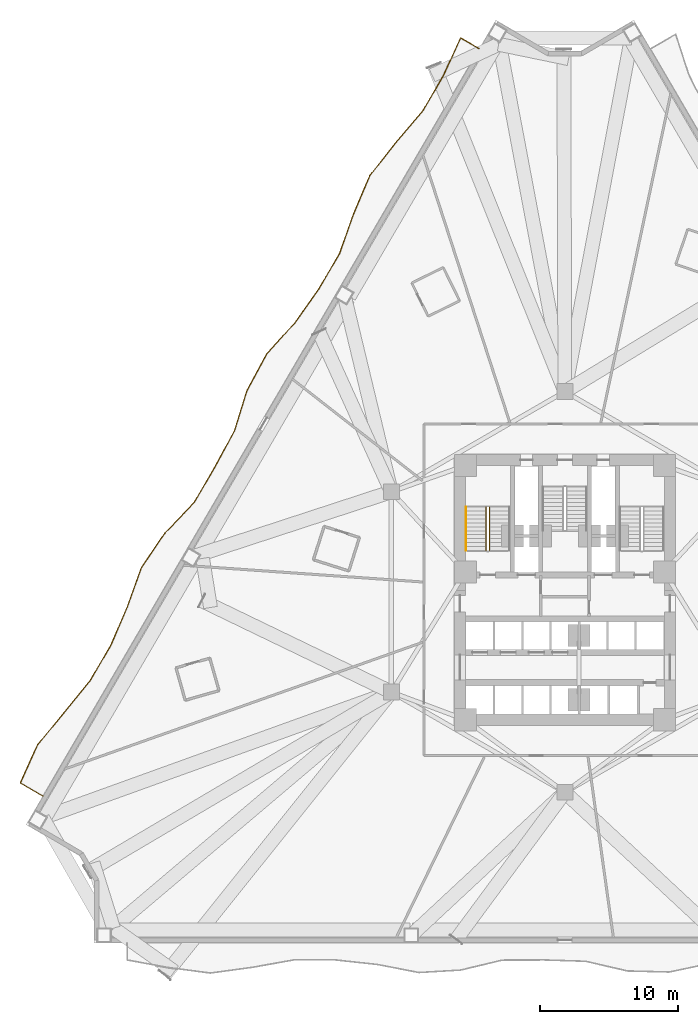
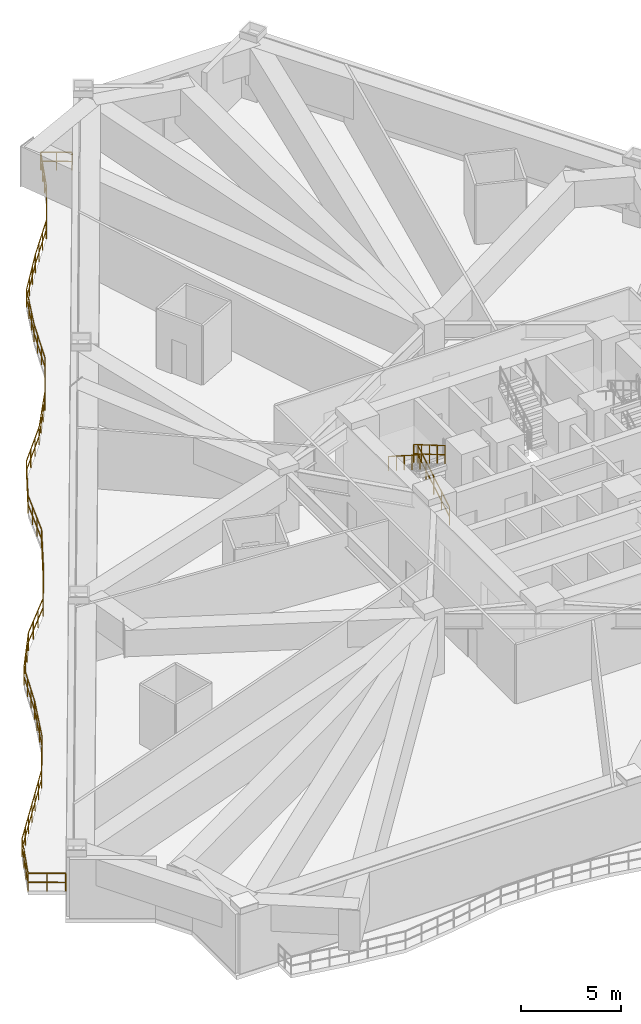
# One storey, part 14 of 16: 4 railings.
"""IFC4 building model written with IfcOpenShell, lengths in metres."""

from ifc_helpers import new_model, si_unit, direction, frame, origin, origin_2d, place, context, subcontext, project, spatial, rectangle, extrude, material, type_object, element, save


model = new_model("IFC4")

# Units and contexts
model_context = context("Model", 3, precision=1e-05, world=origin(), true_north=direction((0.0, 1.0)))
body_context = subcontext(model_context, "Body", "Model", "MODEL_VIEW")
ifc_project = project(units=[si_unit("LENGTHUNIT", "METRE"), si_unit("AREAUNIT", "SQUARE_METRE"), si_unit("VOLUMEUNIT", "CUBIC_METRE"), si_unit("PLANEANGLEUNIT", "RADIAN"), si_unit("MASSUNIT", "GRAM", prefix="KILO")], contexts=[model_context])

# Site, building, storey
site_placement = place(None, origin())
site = spatial("IfcSite", under=ifc_project, at=site_placement, CompositionType="ELEMENT")
building_placement = place(site_placement, origin())
building = spatial("IfcBuilding", under=site, at=building_placement, Name="Apsidion Concourse Tower", CompositionType="ELEMENT")
storey_placement = place(building_placement, frame((0.0, 0.0, 58.39990234375)))
storey = spatial("IfcBuildingStorey", under=building, at=storey_placement, Name="L12", CompositionType="ELEMENT", Elevation=58.39990234375)

# Railings
ifc_material = material(Name="Brushed stainless steel 316", Category="steel")
railing_type_1 = type_object("IfcRailingType", Name="RL-BAL-1120", PredefinedType="BALUSTRADE", material=ifc_material)
railing_1_placement = place(storey_placement, frame((-37.789306640625, -14.772705078125, 0.0)))
element("IfcRailing", 1, at=railing_1_placement, inside=storey, type_object=railing_type_1, Name="L12 Face 1 Rippling Balcony Balustrade", PredefinedType="BALUSTRADE", context=body_context, shape_type="SweptSolid", body=[
    extrude(rectangle(XDim=0.048095703125, YDim=0.048095703125, at=origin_2d()), frame((0.0, 0.0, 1.09619140625), z_axis=(-0.863628178922, 0.504129317311, 0.0), x_axis=(-0.504129317311, -0.863628178922, 0.0)), (0.0, 0.0, 1.0), 1.88037109375),
    extrude(rectangle(XDim=0.048095703125, YDim=0.048095703125, at=origin_2d()), frame((0.0, 0.0, 0.5361328125), z_axis=(-0.863628178922, 0.504129317311, 0.0), x_axis=(-0.504129317311, -0.863628178922, 0.0)), (0.0, 0.0, 1.0), 1.88037109375),
    extrude(rectangle(XDim=0.048095703125, YDim=0.048095703125, at=origin_2d()), frame((-1.6240234375, 0.947998046875, 1.09619140625), z_axis=(0.411139583762, 0.911572401219, 0.0), x_axis=(-0.911572401219, 0.411139583762, 0.0)), (0.0, 0.0, 1.0), 2.999267578125),
    extrude(rectangle(XDim=0.048095703125, YDim=0.048095703125, at=origin_2d()), frame((-1.6240234375, 0.947998046875, 0.5361328125), z_axis=(0.411139583762, 0.911572401219, 0.0), x_axis=(-0.911572401219, 0.411139583762, 0.0)), (0.0, 0.0, 1.0), 2.999267578125),
    extrude(rectangle(XDim=0.048095703125, YDim=0.048095703125, at=origin_2d()), frame((-0.390869140625, 3.68212890625, 1.09619140625), z_axis=(0.633457843954, 0.773777203033, 0.0), x_axis=(-0.773777203033, 0.633457843954, 0.0)), (0.0, 0.0, 1.0), 3.0205078125),
    extrude(rectangle(XDim=0.048095703125, YDim=0.048095703125, at=origin_2d()), frame((-0.390869140625, 3.68212890625, 0.5361328125), z_axis=(0.633457843954, 0.773777203033, 0.0), x_axis=(-0.773777203033, 0.633457843954, 0.0)), (0.0, 0.0, 1.0), 3.0205078125),
    extrude(rectangle(XDim=0.048095703125, YDim=0.048095703125, at=origin_2d()), frame((1.5224609375, 6.019287109375, 1.09619140625), z_axis=(0.632550737528, 0.774518924529, 0.0), x_axis=(-0.774518924529, 0.632550737528, 0.0)), (0.0, 0.0, 1.0), 3.019775390625),
    extrude(rectangle(XDim=0.048095703125, YDim=0.048095703125, at=origin_2d()), frame((1.5224609375, 6.019287109375, 0.5361328125), z_axis=(0.632550737528, 0.774518924529, 0.0), x_axis=(-0.774518924529, 0.632550737528, 0.0)), (0.0, 0.0, 1.0), 3.019775390625),
    extrude(rectangle(XDim=0.048095703125, YDim=0.048095703125, at=origin_2d()), frame((3.4326171875, 8.358154296875, 1.09619140625), z_axis=(0.504191602526, 0.863591817899, 0.0), x_axis=(-0.863591817899, 0.504191602526, 0.0)), (0.0, 0.0, 1.0), 2.98291015625),
    extrude(rectangle(XDim=0.048095703125, YDim=0.048095703125, at=origin_2d()), frame((3.4326171875, 8.358154296875, 0.5361328125), z_axis=(0.504191602526, 0.863591817899, 0.0), x_axis=(-0.863591817899, 0.504191602526, 0.0)), (0.0, 0.0, 1.0), 2.98291015625),
    extrude(rectangle(XDim=0.048095703125, YDim=0.048095703125, at=origin_2d()), frame((4.9365234375, 10.93408203125, 1.09619140625), z_axis=(0.39420358069, 0.919023142783, 0.0), x_axis=(-0.919023142783, 0.39420358069, 0.0)), (0.0, 0.0, 1.0), 3.005615234375),
    extrude(rectangle(XDim=0.048095703125, YDim=0.048095703125, at=origin_2d()), frame((4.9365234375, 10.93408203125, 0.5361328125), z_axis=(0.39420358069, 0.919023142783, 0.0), x_axis=(-0.919023142783, 0.39420358069, 0.0)), (0.0, 0.0, 1.0), 3.005615234375),
    extrude(rectangle(XDim=0.048095703125, YDim=0.048095703125, at=origin_2d()), frame((6.121337890625, 13.6962890625, 1.09619140625), z_axis=(0.338374657241, 0.941011472479, 0.0), x_axis=(-0.941011472479, 0.338374657241, 0.0)), (0.0, 0.0, 1.0), 3.033935546875),
    extrude(rectangle(XDim=0.048095703125, YDim=0.048095703125, at=origin_2d()), frame((6.121337890625, 13.6962890625, 0.5361328125), z_axis=(0.338374657241, 0.941011472479, 0.0), x_axis=(-0.941011472479, 0.338374657241, 0.0)), (0.0, 0.0, 1.0), 3.033935546875),
    extrude(rectangle(XDim=0.048095703125, YDim=0.048095703125, at=origin_2d()), frame((7.14794921875, 16.55126953125, 1.09619140625), z_axis=(0.563131591307, 0.826367237294, 0.0), x_axis=(-0.826367237294, 0.563131591307, 0.0)), (0.0, 0.0, 1.0), 2.990234375),
    extrude(rectangle(XDim=0.048095703125, YDim=0.048095703125, at=origin_2d()), frame((7.14794921875, 16.55126953125, 0.5361328125), z_axis=(0.563131591307, 0.826367237294, 0.0), x_axis=(-0.826367237294, 0.563131591307, 0.0)), (0.0, 0.0, 1.0), 2.990234375),
    extrude(rectangle(XDim=0.048095703125, YDim=0.048095703125, at=origin_2d()), frame((8.831787109375, 19.022216796875, 1.09619140625), z_axis=(0.691455742414, 0.722418823317, 0.0), x_axis=(-0.722418823317, 0.691455742414, 0.0)), (0.0, 0.0, 1.0), 3.067138671875),
    extrude(rectangle(XDim=0.048095703125, YDim=0.048095703125, at=origin_2d()), frame((8.831787109375, 19.022216796875, 0.5361328125), z_axis=(0.691455742414, 0.722418823317, 0.0), x_axis=(-0.722418823317, 0.691455742414, 0.0)), (0.0, 0.0, 1.0), 3.067138671875),
    extrude(rectangle(XDim=0.048095703125, YDim=0.048095703125, at=origin_2d()), frame((10.95263671875, 21.238037109375, 1.09619140625), z_axis=(0.504252641195, 0.863556178745, 0.0), x_axis=(-0.863556178745, 0.504252641195, 0.0)), (0.0, 0.0, 1.0), 2.98291015625),
    extrude(rectangle(XDim=0.048095703125, YDim=0.048095703125, at=origin_2d()), frame((10.95263671875, 21.238037109375, 0.5361328125), z_axis=(0.504252641195, 0.863556178745, 0.0), x_axis=(-0.863556178745, 0.504252641195, 0.0)), (0.0, 0.0, 1.0), 2.98291015625),
    extrude(rectangle(XDim=0.048095703125, YDim=0.048095703125, at=origin_2d()), frame((12.456787109375, 23.81396484375, 1.09619140625), z_axis=(0.476098667531, 0.879391868722, 0.0), x_axis=(-0.879391868722, 0.476098667531, 0.0)), (0.0, 0.0, 1.0), 2.984375),
    extrude(rectangle(XDim=0.048095703125, YDim=0.048095703125, at=origin_2d()), frame((12.456787109375, 23.81396484375, 0.5361328125), z_axis=(0.476098667531, 0.879391868722, 0.0), x_axis=(-0.879391868722, 0.476098667531, 0.0)), (0.0, 0.0, 1.0), 2.984375),
    extrude(rectangle(XDim=0.048095703125, YDim=0.048095703125, at=origin_2d()), frame((13.877685546875, 26.4384765625, 1.09619140625), z_axis=(0.295681995921, 0.955286426831, 0.0), x_axis=(-0.955286426831, 0.295681995921, 0.0)), (0.0, 0.0, 1.0), 3.0625),
    extrude(rectangle(XDim=0.048095703125, YDim=0.048095703125, at=origin_2d()), frame((13.877685546875, 26.4384765625, 0.5361328125), z_axis=(0.295681995921, 0.955286426831, 0.0), x_axis=(-0.955286426831, 0.295681995921, 0.0)), (0.0, 0.0, 1.0), 3.0625),
    extrude(rectangle(XDim=0.048095703125, YDim=0.048095703125, at=origin_2d()), frame((14.783203125, 29.364013671875, 1.09619140625), z_axis=(0.476454443832, 0.879199160004, 0.0), x_axis=(-0.879199160004, 0.476454443832, 0.0)), (0.0, 0.0, 1.0), 2.984375),
    extrude(rectangle(XDim=0.048095703125, YDim=0.048095703125, at=origin_2d()), frame((14.783203125, 29.364013671875, 0.5361328125), z_axis=(0.476454443832, 0.879199160004, 0.0), x_axis=(-0.879199160004, 0.476454443832, 0.0)), (0.0, 0.0, 1.0), 2.984375),
    extrude(rectangle(XDim=0.048095703125, YDim=0.048095703125, at=origin_2d()), frame((16.205078125, 31.98779296875, 1.09619140625), z_axis=(0.669199344917, 0.743082927244, 0.0), x_axis=(-0.743082927244, 0.669199344917, 0.0)), (0.0, 0.0, 1.0), 3.046630859375),
    extrude(rectangle(XDim=0.048095703125, YDim=0.048095703125, at=origin_2d()), frame((16.205078125, 31.98779296875, 0.5361328125), z_axis=(0.669199344917, 0.743082927244, 0.0), x_axis=(-0.743082927244, 0.669199344917, 0.0)), (0.0, 0.0, 1.0), 3.046630859375),
    extrude(rectangle(XDim=0.048095703125, YDim=0.048095703125, at=origin_2d()), frame((18.243896484375, 34.251708984375, 1.09619140625), z_axis=(0.578698030637, 0.815541899192, 0.0), x_axis=(-0.815541899192, 0.578698030637, 0.0)), (0.0, 0.0, 1.0), 2.994384765625),
    extrude(rectangle(XDim=0.048095703125, YDim=0.048095703125, at=origin_2d()), frame((18.243896484375, 34.251708984375, 0.5361328125), z_axis=(0.578698030637, 0.815541899192, 0.0), x_axis=(-0.815541899192, 0.578698030637, 0.0)), (0.0, 0.0, 1.0), 2.994384765625),
    extrude(rectangle(XDim=0.048095703125, YDim=0.048095703125, at=origin_2d()), frame((19.976806640625, 36.69384765625, 1.09619140625), z_axis=(0.504217003444, 0.863576987557, 0.0), x_axis=(-0.863576987557, 0.504217003444, 0.0)), (0.0, 0.0, 1.0), 2.983154296875),
    extrude(rectangle(XDim=0.048095703125, YDim=0.048095703125, at=origin_2d()), frame((19.976806640625, 36.69384765625, 0.5361328125), z_axis=(0.504217003444, 0.863576987557, 0.0), x_axis=(-0.863576987557, 0.504217003444, 0.0)), (0.0, 0.0, 1.0), 2.983154296875),
    extrude(rectangle(XDim=0.048095703125, YDim=0.048095703125, at=origin_2d()), frame((21.48095703125, 39.27001953125, 1.09619140625), z_axis=(0.333518185646, 0.942743666032, 0.0), x_axis=(-0.942743666032, 0.333518185646, 0.0)), (0.0, 0.0, 1.0), 3.036376953125),
    extrude(rectangle(XDim=0.048095703125, YDim=0.048095703125, at=origin_2d()), frame((21.48095703125, 39.27001953125, 0.5361328125), z_axis=(0.333518185646, 0.942743666032, 0.0), x_axis=(-0.942743666032, 0.333518185646, 0.0)), (0.0, 0.0, 1.0), 3.036376953125),
    extrude(rectangle(XDim=0.048095703125, YDim=0.048095703125, at=origin_2d()), frame((22.49365234375, 42.132568359375, 1.09619140625), z_axis=(0.390752077862, 0.92049596069, 0.0), x_axis=(-0.92049596069, 0.390752077862, 0.0)), (0.0, 0.0, 1.0), 3.007080078125),
    extrude(rectangle(XDim=0.048095703125, YDim=0.048095703125, at=origin_2d()), frame((22.49365234375, 42.132568359375, 0.5361328125), z_axis=(0.390752077862, 0.92049596069, 0.0), x_axis=(-0.92049596069, 0.390752077862, 0.0)), (0.0, 0.0, 1.0), 3.007080078125),
    extrude(rectangle(XDim=0.048095703125, YDim=0.048095703125, at=origin_2d()), frame((23.668701171875, 44.900634765625, 1.09619140625), z_axis=(0.617928959857, 0.786233935016, 0.0), x_axis=(-0.786233935016, 0.617928959857, 0.0)), (0.0, 0.0, 1.0), 3.011474609375),
    extrude(rectangle(XDim=0.048095703125, YDim=0.048095703125, at=origin_2d()), frame((23.668701171875, 44.900634765625, 0.5361328125), z_axis=(0.617928959857, 0.786233935016, 0.0), x_axis=(-0.786233935016, 0.617928959857, 0.0)), (0.0, 0.0, 1.0), 3.011474609375),
    extrude(rectangle(XDim=0.048095703125, YDim=0.048095703125, at=origin_2d()), frame((25.529541015625, 47.268310546875, 1.09619140625), z_axis=(0.649164637254, 0.760647930214, 0.0), x_axis=(-0.760647930214, 0.649164637254, 0.0)), (0.0, 0.0, 1.0), 3.03076171875),
    extrude(rectangle(XDim=0.048095703125, YDim=0.048095703125, at=origin_2d()), frame((25.529541015625, 47.268310546875, 0.5361328125), z_axis=(0.649164637254, 0.760647930214, 0.0), x_axis=(-0.760647930214, 0.649164637254, 0.0)), (0.0, 0.0, 1.0), 3.03076171875),
    extrude(rectangle(XDim=0.048095703125, YDim=0.048095703125, at=origin_2d()), frame((27.4970703125, 49.57373046875, 1.09619140625), z_axis=(0.504155966148, 0.863612622532, 0.0), x_axis=(-0.863612622532, 0.504155966148, 0.0)), (0.0, 0.0, 1.0), 2.98291015625),
    extrude(rectangle(XDim=0.048095703125, YDim=0.048095703125, at=origin_2d()), frame((27.4970703125, 49.57373046875, 0.5361328125), z_axis=(0.504155966148, 0.863612622532, 0.0), x_axis=(-0.863612622532, 0.504155966148, 0.0)), (0.0, 0.0, 1.0), 2.98291015625),
    extrude(rectangle(XDim=0.048095703125, YDim=0.048095703125, at=origin_2d()), frame((29.0009765625, 52.14990234375, 1.09619140625), z_axis=(0.415268907623, 0.909698705265, 0.0), x_axis=(-0.909698705265, 0.415268907623, 0.0)), (0.0, 0.0, 1.0), 2.997802734375),
    extrude(rectangle(XDim=0.048095703125, YDim=0.048095703125, at=origin_2d()), frame((29.0009765625, 52.14990234375, 0.5361328125), z_axis=(0.415268907623, 0.909698705265, 0.0), x_axis=(-0.909698705265, 0.415268907623, 0.0)), (0.0, 0.0, 1.0), 2.997802734375),
    extrude(rectangle(XDim=0.048095703125, YDim=0.048095703125, at=origin_2d()), frame((30.245849609375, 54.876953125, 1.09619140625), z_axis=(0.863601756058, -0.504174579818, 0.0), x_axis=(0.504174579818, 0.863601756058, 0.0)), (0.0, 0.0, 1.0), 1.550048828125),
    extrude(rectangle(XDim=0.048095703125, YDim=0.048095703125, at=origin_2d()), frame((30.245849609375, 54.876953125, 0.5361328125), z_axis=(0.863601756058, -0.504174579818, 0.0), x_axis=(0.504174579818, 0.863601756058, 0.0)), (0.0, 0.0, 1.0), 1.550048828125),
    extrude(rectangle(XDim=0.0419921875, YDim=0.0419921875, at=origin_2d()), origin(), (0.0, 0.0, 1.0), 1.072021484375),
    extrude(rectangle(XDim=0.0419921875, YDim=0.0419921875, at=origin_2d()), frame((-0.81201171875, 0.47412109375, 0.0)), (0.0, 0.0, 1.0), 1.072021484375),
    extrude(rectangle(XDim=0.0419921875, YDim=0.0419921875, at=origin_2d()), frame((-1.6240234375, 0.947998046875, 0.0)), (0.0, 0.0, 1.0), 1.072021484375),
    extrude(rectangle(XDim=0.0419921875, YDim=0.0419921875, at=origin_2d()), frame((-1.212890625, 1.859375, 0.0)), (0.0, 0.0, 1.0), 1.072021484375),
    extrude(rectangle(XDim=0.0419921875, YDim=0.0419921875, at=origin_2d()), frame((-0.802001953125, 2.770751953125, 0.0)), (0.0, 0.0, 1.0), 1.072021484375),
    extrude(rectangle(XDim=0.0419921875, YDim=0.0419921875, at=origin_2d()), frame((-0.390869140625, 3.68212890625, 0.0)), (0.0, 0.0, 1.0), 1.072021484375),
    extrude(rectangle(XDim=0.0419921875, YDim=0.0419921875, at=origin_2d()), frame((0.246826171875, 4.461181640625, 0.0)), (0.0, 0.0, 1.0), 1.072021484375),
    extrude(rectangle(XDim=0.0419921875, YDim=0.0419921875, at=origin_2d()), frame((0.884765625, 5.240234375, 0.0)), (0.0, 0.0, 1.0), 1.072021484375),
    extrude(rectangle(XDim=0.0419921875, YDim=0.0419921875, at=origin_2d()), frame((1.5224609375, 6.019287109375, 0.0)), (0.0, 0.0, 1.0), 1.072021484375),
    extrude(rectangle(XDim=0.0419921875, YDim=0.0419921875, at=origin_2d()), frame((2.1591796875, 6.798828125, 0.0)), (0.0, 0.0, 1.0), 1.072021484375),
    extrude(rectangle(XDim=0.0419921875, YDim=0.0419921875, at=origin_2d()), frame((2.7958984375, 7.57861328125, 0.0)), (0.0, 0.0, 1.0), 1.072021484375),
    extrude(rectangle(XDim=0.0419921875, YDim=0.0419921875, at=origin_2d()), frame((3.4326171875, 8.358154296875, 0.0)), (0.0, 0.0, 1.0), 1.072021484375),
    extrude(rectangle(XDim=0.0419921875, YDim=0.0419921875, at=origin_2d()), frame((3.933837890625, 9.216796875, 0.0)), (0.0, 0.0, 1.0), 1.072021484375),
    extrude(rectangle(XDim=0.0419921875, YDim=0.0419921875, at=origin_2d()), frame((4.435302734375, 10.075439453125, 0.0)), (0.0, 0.0, 1.0), 1.072021484375),
    extrude(rectangle(XDim=0.0419921875, YDim=0.0419921875, at=origin_2d()), frame((4.9365234375, 10.93408203125, 0.0)), (0.0, 0.0, 1.0), 1.072021484375),
    extrude(rectangle(XDim=0.0419921875, YDim=0.0419921875, at=origin_2d()), frame((5.33154296875, 11.854736328125, 0.0)), (0.0, 0.0, 1.0), 1.072021484375),
    extrude(rectangle(XDim=0.0419921875, YDim=0.0419921875, at=origin_2d()), frame((5.726318359375, 12.775634765625, 0.0)), (0.0, 0.0, 1.0), 1.072021484375),
    extrude(rectangle(XDim=0.0419921875, YDim=0.0419921875, at=origin_2d()), frame((6.121337890625, 13.6962890625, 0.0)), (0.0, 0.0, 1.0), 1.072021484375),
    extrude(rectangle(XDim=0.0419921875, YDim=0.0419921875, at=origin_2d()), frame((6.463623046875, 14.64794921875, 0.0)), (0.0, 0.0, 1.0), 1.072021484375),
    extrude(rectangle(XDim=0.0419921875, YDim=0.0419921875, at=origin_2d()), frame((6.8056640625, 15.599609375, 0.0)), (0.0, 0.0, 1.0), 1.072021484375),
    extrude(rectangle(XDim=0.0419921875, YDim=0.0419921875, at=origin_2d()), frame((7.14794921875, 16.55126953125, 0.0)), (0.0, 0.0, 1.0), 1.072021484375),
    extrude(rectangle(XDim=0.0419921875, YDim=0.0419921875, at=origin_2d()), frame((7.709228515625, 17.375, 0.0)), (0.0, 0.0, 1.0), 1.072021484375),
    extrude(rectangle(XDim=0.0419921875, YDim=0.0419921875, at=origin_2d()), frame((8.2705078125, 18.198486328125, 0.0)), (0.0, 0.0, 1.0), 1.072021484375),
    extrude(rectangle(XDim=0.0419921875, YDim=0.0419921875, at=origin_2d()), frame((8.831787109375, 19.022216796875, 0.0)), (0.0, 0.0, 1.0), 1.072021484375),
    extrude(rectangle(XDim=0.0419921875, YDim=0.0419921875, at=origin_2d()), frame((9.538818359375, 19.7607421875, 0.0)), (0.0, 0.0, 1.0), 1.072021484375),
    extrude(rectangle(XDim=0.0419921875, YDim=0.0419921875, at=origin_2d()), frame((10.24560546875, 20.49951171875, 0.0)), (0.0, 0.0, 1.0), 1.072021484375),
    extrude(rectangle(XDim=0.0419921875, YDim=0.0419921875, at=origin_2d()), frame((10.95263671875, 21.238037109375, 0.0)), (0.0, 0.0, 1.0), 1.072021484375),
    extrude(rectangle(XDim=0.0419921875, YDim=0.0419921875, at=origin_2d()), frame((11.4541015625, 22.0966796875, 0.0)), (0.0, 0.0, 1.0), 1.072021484375),
    extrude(rectangle(XDim=0.0419921875, YDim=0.0419921875, at=origin_2d()), frame((11.955322265625, 22.955322265625, 0.0)), (0.0, 0.0, 1.0), 1.072021484375),
    extrude(rectangle(XDim=0.0419921875, YDim=0.0419921875, at=origin_2d()), frame((12.456787109375, 23.81396484375, 0.0)), (0.0, 0.0, 1.0), 1.072021484375),
    extrude(rectangle(XDim=0.0419921875, YDim=0.0419921875, at=origin_2d()), frame((12.930419921875, 24.688720703125, 0.0)), (0.0, 0.0, 1.0), 1.072021484375),
    extrude(rectangle(XDim=0.0419921875, YDim=0.0419921875, at=origin_2d()), frame((13.404052734375, 25.563720703125, 0.0)), (0.0, 0.0, 1.0), 1.072021484375),
    extrude(rectangle(XDim=0.0419921875, YDim=0.0419921875, at=origin_2d()), frame((13.877685546875, 26.4384765625, 0.0)), (0.0, 0.0, 1.0), 1.072021484375),
    extrude(rectangle(XDim=0.0419921875, YDim=0.0419921875, at=origin_2d()), frame((14.179443359375, 27.41357421875, 0.0)), (0.0, 0.0, 1.0), 1.072021484375),
    extrude(rectangle(XDim=0.0419921875, YDim=0.0419921875, at=origin_2d()), frame((14.4814453125, 28.388916015625, 0.0)), (0.0, 0.0, 1.0), 1.072021484375),
    extrude(rectangle(XDim=0.0419921875, YDim=0.0419921875, at=origin_2d()), frame((14.783203125, 29.364013671875, 0.0)), (0.0, 0.0, 1.0), 1.072021484375),
    extrude(rectangle(XDim=0.0419921875, YDim=0.0419921875, at=origin_2d()), frame((15.257080078125, 30.238525390625, 0.0)), (0.0, 0.0, 1.0), 1.072021484375),
    extrude(rectangle(XDim=0.0419921875, YDim=0.0419921875, at=origin_2d()), frame((15.731201171875, 31.11328125, 0.0)), (0.0, 0.0, 1.0), 1.072021484375),
    extrude(rectangle(XDim=0.0419921875, YDim=0.0419921875, at=origin_2d()), frame((16.205078125, 31.98779296875, 0.0)), (0.0, 0.0, 1.0), 1.072021484375),
    extrude(rectangle(XDim=0.0419921875, YDim=0.0419921875, at=origin_2d()), frame((16.884765625, 32.742431640625, 0.0)), (0.0, 0.0, 1.0), 1.072021484375),
    extrude(rectangle(XDim=0.0419921875, YDim=0.0419921875, at=origin_2d()), frame((17.564208984375, 33.4970703125, 0.0)), (0.0, 0.0, 1.0), 1.072021484375),
    extrude(rectangle(XDim=0.0419921875, YDim=0.0419921875, at=origin_2d()), frame((18.243896484375, 34.251708984375, 0.0)), (0.0, 0.0, 1.0), 1.072021484375),
    extrude(rectangle(XDim=0.0419921875, YDim=0.0419921875, at=origin_2d()), frame((18.821533203125, 35.065673828125, 0.0)), (0.0, 0.0, 1.0), 1.072021484375),
    extrude(rectangle(XDim=0.0419921875, YDim=0.0419921875, at=origin_2d()), frame((19.399169921875, 35.8798828125, 0.0)), (0.0, 0.0, 1.0), 1.072021484375),
    extrude(rectangle(XDim=0.0419921875, YDim=0.0419921875, at=origin_2d()), frame((19.976806640625, 36.69384765625, 0.0)), (0.0, 0.0, 1.0), 1.072021484375),
    extrude(rectangle(XDim=0.0419921875, YDim=0.0419921875, at=origin_2d()), frame((20.478271484375, 37.552490234375, 0.0)), (0.0, 0.0, 1.0), 1.072021484375),
    extrude(rectangle(XDim=0.0419921875, YDim=0.0419921875, at=origin_2d()), frame((20.9794921875, 38.411376953125, 0.0)), (0.0, 0.0, 1.0), 1.072021484375),
    extrude(rectangle(XDim=0.0419921875, YDim=0.0419921875, at=origin_2d()), frame((21.48095703125, 39.27001953125, 0.0)), (0.0, 0.0, 1.0), 1.072021484375),
    extrude(rectangle(XDim=0.0419921875, YDim=0.0419921875, at=origin_2d()), frame((21.818603515625, 40.22412109375, 0.0)), (0.0, 0.0, 1.0), 1.072021484375),
    extrude(rectangle(XDim=0.0419921875, YDim=0.0419921875, at=origin_2d()), frame((22.156005859375, 41.178466796875, 0.0)), (0.0, 0.0, 1.0), 1.072021484375),
    extrude(rectangle(XDim=0.0419921875, YDim=0.0419921875, at=origin_2d()), frame((22.49365234375, 42.132568359375, 0.0)), (0.0, 0.0, 1.0), 1.072021484375),
    extrude(rectangle(XDim=0.0419921875, YDim=0.0419921875, at=origin_2d()), frame((22.88525390625, 43.05517578125, 0.0)), (0.0, 0.0, 1.0), 1.072021484375),
    extrude(rectangle(XDim=0.0419921875, YDim=0.0419921875, at=origin_2d()), frame((23.277099609375, 43.97802734375, 0.0)), (0.0, 0.0, 1.0), 1.072021484375),
    extrude(rectangle(XDim=0.0419921875, YDim=0.0419921875, at=origin_2d()), frame((23.668701171875, 44.900634765625, 0.0)), (0.0, 0.0, 1.0), 1.072021484375),
    extrude(rectangle(XDim=0.0419921875, YDim=0.0419921875, at=origin_2d()), frame((24.2890625, 45.68994140625, 0.0)), (0.0, 0.0, 1.0), 1.072021484375),
    extrude(rectangle(XDim=0.0419921875, YDim=0.0419921875, at=origin_2d()), frame((24.9091796875, 46.47900390625, 0.0)), (0.0, 0.0, 1.0), 1.072021484375),
    extrude(rectangle(XDim=0.0419921875, YDim=0.0419921875, at=origin_2d()), frame((25.529541015625, 47.268310546875, 0.0)), (0.0, 0.0, 1.0), 1.072021484375),
    extrude(rectangle(XDim=0.0419921875, YDim=0.0419921875, at=origin_2d()), frame((26.185302734375, 48.036865234375, 0.0)), (0.0, 0.0, 1.0), 1.072021484375),
    extrude(rectangle(XDim=0.0419921875, YDim=0.0419921875, at=origin_2d()), frame((26.84130859375, 48.80517578125, 0.0)), (0.0, 0.0, 1.0), 1.072021484375),
    extrude(rectangle(XDim=0.0419921875, YDim=0.0419921875, at=origin_2d()), frame((27.4970703125, 49.57373046875, 0.0)), (0.0, 0.0, 1.0), 1.072021484375),
    extrude(rectangle(XDim=0.0419921875, YDim=0.0419921875, at=origin_2d()), frame((27.998291015625, 50.432373046875, 0.0)), (0.0, 0.0, 1.0), 1.072021484375),
    extrude(rectangle(XDim=0.0419921875, YDim=0.0419921875, at=origin_2d()), frame((28.499755859375, 51.291259765625, 0.0)), (0.0, 0.0, 1.0), 1.072021484375),
    extrude(rectangle(XDim=0.0419921875, YDim=0.0419921875, at=origin_2d()), frame((29.0009765625, 52.14990234375, 0.0)), (0.0, 0.0, 1.0), 1.072021484375),
    extrude(rectangle(XDim=0.0419921875, YDim=0.0419921875, at=origin_2d()), frame((29.416015625, 53.058837890625, 0.0)), (0.0, 0.0, 1.0), 1.072021484375),
    extrude(rectangle(XDim=0.0419921875, YDim=0.0419921875, at=origin_2d()), frame((29.830810546875, 53.968017578125, 0.0)), (0.0, 0.0, 1.0), 1.072021484375),
    extrude(rectangle(XDim=0.0419921875, YDim=0.0419921875, at=origin_2d()), frame((30.245849609375, 54.876953125, 0.0)), (0.0, 0.0, 1.0), 1.072021484375),
    extrude(rectangle(XDim=0.0419921875, YDim=0.0419921875, at=origin_2d()), frame((30.9150390625, 54.486328125, 0.0)), (0.0, 0.0, 1.0), 1.072021484375),
    extrude(rectangle(XDim=0.0419921875, YDim=0.0419921875, at=origin_2d()), frame((31.58447265625, 54.095458984375, 0.0)), (0.0, 0.0, 1.0), 1.072021484375),
])
railing_type_2 = type_object("IfcRailingType", Name="RL-GUARD-1100", PredefinedType="GUARDRAIL", material=ifc_material)
railing_2_placement = place(storey_placement, frame((-5.449951171875, 3.0, 0.166748046875)))
element("IfcRailing", 2, at=railing_2_placement, inside=storey, type_object=railing_type_2, Name="L12 ST1 stair guard 1", PredefinedType="GUARDRAIL", context=body_context, shape_type="SweptSolid", body=[
    extrude(rectangle(XDim=0.048095703125, YDim=0.048095703125, at=origin_2d()), frame((0.0, 0.0, 1.09619140625), z_axis=(0.0, 0.863239559939, 0.504794475164), x_axis=(-1.0, 0.0, 0.0)), (0.0, 0.0, 1.0), 3.631591796875),
    extrude(rectangle(XDim=0.048095703125, YDim=0.048095703125, at=origin_2d()), frame((0.0, 0.0, 0.5361328125), z_axis=(0.0, 0.863239559939, 0.504794475164), x_axis=(-1.0, 0.0, 0.0)), (0.0, 0.0, 1.0), 3.631591796875),
    extrude(rectangle(XDim=0.0419921875, YDim=0.0419921875, at=origin_2d()), origin(), (0.0, 0.0, 1.0), 1.072021484375),
    extrude(rectangle(XDim=0.0419921875, YDim=0.0419921875, at=origin_2d()), frame((0.0, 0.78369140625, 0.458251953125)), (0.0, 0.0, 1.0), 1.072021484375),
    extrude(rectangle(XDim=0.0419921875, YDim=0.0419921875, at=origin_2d()), frame((0.0, 1.5673828125, 0.91650390625)), (0.0, 0.0, 1.0), 1.072021484375),
    extrude(rectangle(XDim=0.0419921875, YDim=0.0419921875, at=origin_2d()), frame((0.0, 2.351318359375, 1.375)), (0.0, 0.0, 1.0), 1.072021484375),
    extrude(rectangle(XDim=0.0419921875, YDim=0.0419921875, at=origin_2d()), frame((0.0, 3.135009765625, 1.833251953125)), (0.0, 0.0, 1.0), 1.072021484375),
])
railing_3_placement = place(storey_placement, frame((-5.699951171875, 6.135009765625, 2.166748046875)))
element("IfcRailing", 3, at=railing_3_placement, inside=storey, type_object=railing_type_2, Name="L12 ST1 stair guard 3", PredefinedType="GUARDRAIL", context=body_context, shape_type="SweptSolid", body=[
    extrude(rectangle(XDim=0.048095703125, YDim=0.048095703125, at=origin_2d()), frame((0.0, 0.0, 1.09619140625), z_axis=(0.0, -0.863239559939, 0.504794475164), x_axis=(1.0, 0.0, 0.0)), (0.0, 0.0, 1.0), 3.631591796875),
    extrude(rectangle(XDim=0.048095703125, YDim=0.048095703125, at=origin_2d()), frame((0.0, 0.0, 0.5361328125), z_axis=(0.0, -0.863239559939, 0.504794475164), x_axis=(1.0, 0.0, 0.0)), (0.0, 0.0, 1.0), 3.631591796875),
    extrude(rectangle(XDim=0.0419921875, YDim=0.0419921875, at=origin_2d()), origin(), (0.0, 0.0, 1.0), 1.072021484375),
    extrude(rectangle(XDim=0.0419921875, YDim=0.0419921875, at=origin_2d()), frame((0.0, -0.78369140625, 0.458251953125)), (0.0, 0.0, 1.0), 1.072021484375),
    extrude(rectangle(XDim=0.0419921875, YDim=0.0419921875, at=origin_2d()), frame((0.0, -1.5673828125, 0.91650390625)), (0.0, 0.0, 1.0), 1.072021484375),
    extrude(rectangle(XDim=0.0419921875, YDim=0.0419921875, at=origin_2d()), frame((0.0, -2.351318359375, 1.375)), (0.0, 0.0, 1.0), 1.072021484375),
    extrude(rectangle(XDim=0.0419921875, YDim=0.0419921875, at=origin_2d()), frame((0.0, -3.135009765625, 1.833251953125)), (0.0, 0.0, 1.0), 1.072021484375),
])
railing_type_3 = type_object("IfcRailingType", Name="RL-HAND-900", PredefinedType="HANDRAIL", material=ifc_material)
railing_4_placement = place(storey_placement, frame((-7.14990234375, 6.135009765625, 2.166748046875)))
element("IfcRailing", 4, at=railing_4_placement, inside=storey, type_object=railing_type_3, Name="L12 ST1 stair handrail 2", PredefinedType="HANDRAIL", context=body_context, shape_type="SweptSolid", body=[
    extrude(rectangle(XDim=0.048095703125, YDim=0.048095703125, at=origin_2d()), frame((0.0, 0.0, 0.8759765625), z_axis=(0.0, -0.843052688722, 0.537830980921), x_axis=(1.0, 0.0, 0.0)), (0.0, 0.0, 1.0), 3.71875),
    extrude(rectangle(XDim=0.0419921875, YDim=0.0419921875, at=origin_2d()), origin(), (0.0, 0.0, 1.0), 0.851806640625),
    extrude(rectangle(XDim=0.0419921875, YDim=0.0419921875, at=origin_2d()), frame((0.0, -0.78369140625, 0.5)), (0.0, 0.0, 1.0), 0.851806640625),
    extrude(rectangle(XDim=0.0419921875, YDim=0.0419921875, at=origin_2d()), frame((0.0, -1.5673828125, 1.0)), (0.0, 0.0, 1.0), 0.851806640625),
    extrude(rectangle(XDim=0.0419921875, YDim=0.0419921875, at=origin_2d()), frame((0.0, -2.351318359375, 1.5)), (0.0, 0.0, 1.0), 0.851806640625),
    extrude(rectangle(XDim=0.0419921875, YDim=0.0419921875, at=origin_2d()), frame((0.0, -3.135009765625, 2.0)), (0.0, 0.0, 1.0), 0.851806640625),
])

save(model, "model.ifc")
